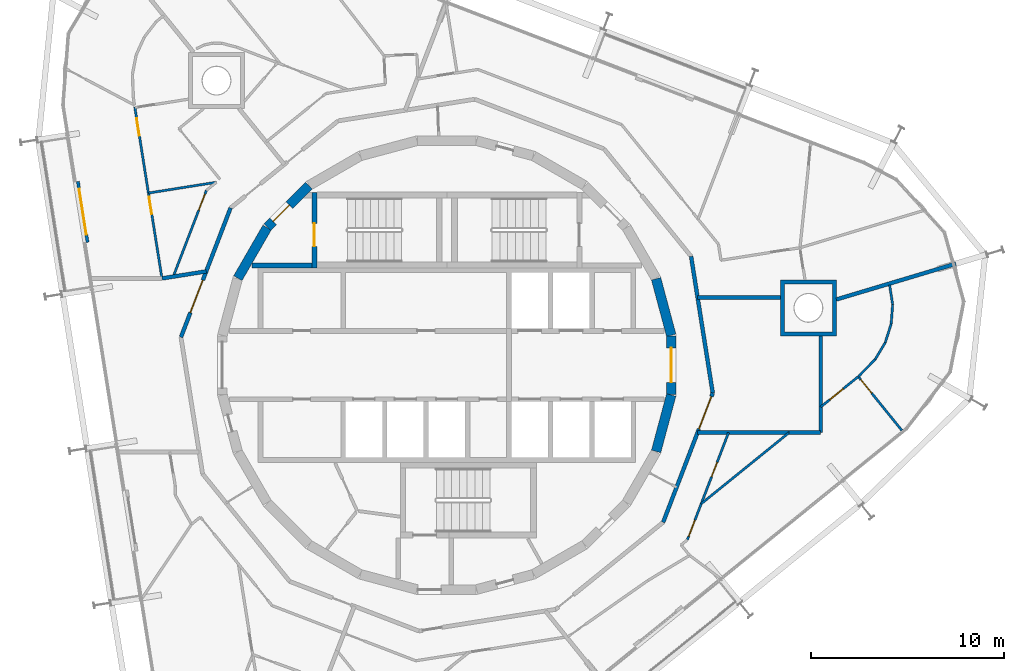
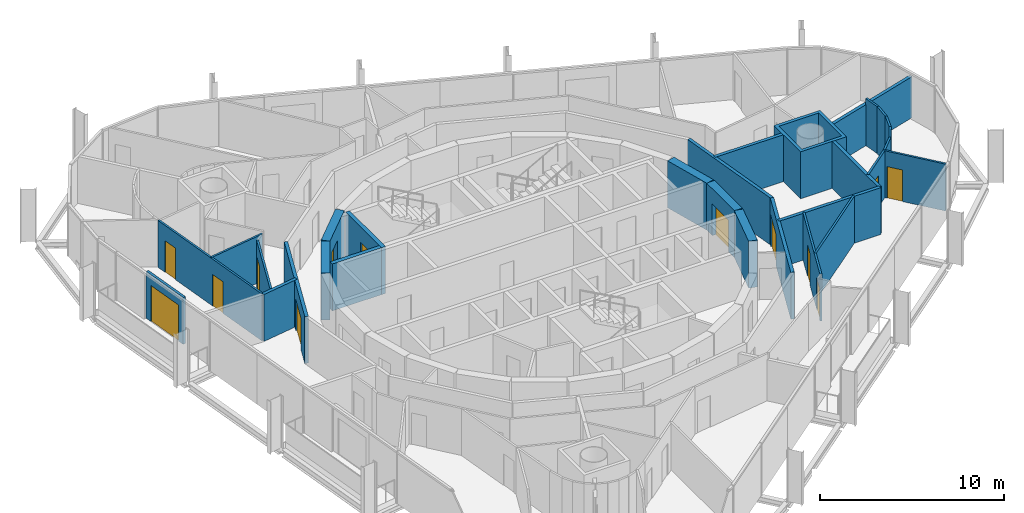
# One storey, part 14 of 18: 30 walls, 13 doors, 13 openings.
"""IFC4 building model written with IfcOpenShell, lengths in metres."""

from ifc_helpers import new_model, si_unit, direction, frame, frame_2d, origin, place, context, subcontext, project, spatial, polyline, rectangle, outline, extrude, material, layer, layer_set, type_object, element, fill, save


model = new_model("IFC4")

# Units and contexts
model_context = context("Model", 3, precision=1e-05, world=origin(), true_north=direction((0.0, 1.0)))
body_context = subcontext(model_context, "Body", "Model", "MODEL_VIEW")
ifc_project = project(units=[si_unit("LENGTHUNIT", "METRE"), si_unit("AREAUNIT", "SQUARE_METRE"), si_unit("VOLUMEUNIT", "CUBIC_METRE"), si_unit("PLANEANGLEUNIT", "RADIAN"), si_unit("MASSUNIT", "GRAM", prefix="KILO")], contexts=[model_context])

# Site, building, storey
site_placement = place(None, origin())
site = spatial("IfcSite", under=ifc_project, at=site_placement, CompositionType="ELEMENT")
building_placement = place(site_placement, origin())
building = spatial("IfcBuilding", under=site, at=building_placement, Name="Spindle Arch Residences", CompositionType="ELEMENT")
storey_placement = place(building_placement, frame((0.0, 0.0, 280.89990234375)))
storey = spatial("IfcBuildingStorey", under=building, at=storey_placement, Name="L72", CompositionType="ELEMENT", Elevation=280.89990234375)

# Wall
ifc_material_1 = material(Name="Concrete C50/60", Category="concrete")
ifc_layer_1 = layer(ifc_material_1, 0.5)
ifc_layer_set_1 = layer_set([ifc_layer_1], Name="Core outline wall 500")
wall_type_1 = type_object("IfcWallType", Name="Core outline wall 500", PredefinedType="SHEAR", material=ifc_layer_set_1)
wall_1_placement = place(storey_placement, frame((10.858154296875, -4.479248046875, 0.0), z_axis=(0.0, 0.0, 1.0), x_axis=(0.258734743916, 0.965948410781, 0.0)))
element("IfcWall", 1, at=wall_1_placement, inside=storey, type_object=wall_type_1, Name="Core outline wall 5", PredefinedType="SHEAR", context=body_context, shape_type="SweptSolid", body=[
    extrude(rectangle(XDim=3.03271484375, YDim=0.5, at=frame_2d((1.516357421875, 0.0))), origin(), (0.0, 0.0, 1.0), 3.1201171875),
])

# Wall, opening, door
wall_2_placement = place(storey_placement, frame((11.647216796875, -1.516357421875, 0.0), z_axis=(0.0, 0.0, 1.0), x_axis=(0.0, 1.0, 0.0)))
wall_2 = element("IfcWall", 2, at=wall_2_placement, inside=storey, type_object=wall_type_1, Name="Core outline wall 6", PredefinedType="SHEAR", context=body_context, shape_type="SweptSolid", body=[
    extrude(rectangle(XDim=3.03271484375, YDim=0.5, at=frame_2d((1.516357421875, 0.0))), origin(), (0.0, 0.0, 1.0), 3.1201171875),
])
opening_1_placement = place(wall_2_placement, frame((0.6162109375, 0.0, 0.0)))
opening_1 = element("IfcOpeningElement", 3, at=opening_1_placement, cuts=wall_2, Name="Opening R7B1-FE01", PredefinedType="OPENING", context=body_context, shape_type="SweptSolid", body=[
    extrude(rectangle(XDim=1.800048828125, YDim=2.10009765625, at=frame_2d((0.89990234375, 1.050048828125))), frame((0.0, 0.260009765625, 0.0), z_axis=(0.0, -1.0, 0.0), x_axis=(1.0, 0.0, 0.0)), (0.0, 0.0, 1.0), 0.52001953125),
])
ifc_material_2 = material(Name="Steel, fire-resisting door", Category="steel")
door_type_1 = type_object("IfcDoorType", Name="Fire-lift lobby door 1800x2100", OperationType="DOUBLE_DOOR_SINGLE_SWING", PredefinedType="DOOR", material=ifc_material_2)
door_1_placement = place(opening_1_placement, origin())
door_1 = element("IfcDoor", 4, at=door_1_placement, inside=storey, type_object=door_type_1, Name="Fire-lift lobby door R7B1-FE01", OperationType="DOUBLE_DOOR_SINGLE_SWING", OverallHeight=2.10009765625, OverallWidth=1.800048828125, PredefinedType="DOOR", context=body_context, shape_type="SweptSolid", body=[
    extrude(rectangle(XDim=1.800048828125, YDim=2.10009765625, at=frame_2d((0.89990234375, 1.050048828125))), frame((0.0, 0.02490234375, 0.0), z_axis=(0.0, -1.0, 0.0), x_axis=(1.0, 0.0, 0.0)), (0.0, 0.0, 1.0), 0.050048828125),
])
fill(opening_1, door_1)

# Wall
wall_3_placement = place(storey_placement, frame((11.642822265625, 1.5498046875, 0.0), z_axis=(0.0, 0.0, 1.0), x_axis=(-0.258734743916, 0.965948410781, 0.0)))
element("IfcWall", 5, at=wall_3_placement, inside=storey, type_object=wall_type_1, Name="Core outline wall 7", PredefinedType="SHEAR", context=body_context, shape_type="SweptSolid", body=[
    extrude(rectangle(XDim=3.03271484375, YDim=0.5, at=frame_2d((1.516357421875, 0.0))), origin(), (0.0, 0.0, 1.0), 3.1201171875),
])

# Wall, opening, door
wall_4_placement = place(storey_placement, frame((-7.163818359375, 9.30810546875, 0.0), z_axis=(0.0, 0.0, 1.0), x_axis=(-0.707106781187, -0.707106781187, 0.0)))
wall_4 = element("IfcWall", 6, at=wall_4_placement, inside=storey, type_object=wall_type_1, Name="Core outline wall 15", PredefinedType="SHEAR", context=body_context, shape_type="SweptSolid", body=[
    extrude(rectangle(XDim=3.032470703125, YDim=0.5, at=frame_2d((1.51611328125, 0.0))), origin(), (0.0, 0.0, 1.0), 3.1201171875),
])
opening_2_placement = place(wall_4_placement, frame((1.416259765625, 0.0, 0.0)))
opening_2 = element("IfcOpeningElement", 7, at=opening_2_placement, cuts=wall_4, Name="Opening R7B1-AD02", PredefinedType="OPENING", context=body_context, shape_type="SweptSolid", body=[
    extrude(rectangle(XDim=1.199951171875, YDim=2.10009765625, at=frame_2d((0.60009765625, 1.050048828125))), frame((0.0, 0.260009765625, 0.0), z_axis=(0.0, -1.0, 0.0), x_axis=(1.0, 0.0, 0.0)), (0.0, 0.0, 1.0), 0.52001953125),
])
ifc_material_3 = material(Name="Steel, fire-resisting door", Category="steel")
door_type_2 = type_object("IfcDoorType", Name="Stair airlock door 1200x2100", OperationType="SINGLE_SWING_LEFT", PredefinedType="DOOR", material=ifc_material_3)
door_2_placement = place(opening_2_placement, origin())
door_2 = element("IfcDoor", 8, at=door_2_placement, inside=storey, type_object=door_type_2, Name="Stair airlock door R7B1-AD02", OperationType="SINGLE_SWING_RIGHT", OverallHeight=2.10009765625, OverallWidth=1.199951171875, PredefinedType="DOOR", context=body_context, shape_type="SweptSolid", body=[
    extrude(rectangle(XDim=1.199951171875, YDim=2.10009765625, at=frame_2d((0.60009765625, 1.050048828125))), frame((0.0, 0.02490234375, 0.0), z_axis=(0.0, -1.0, 0.0), x_axis=(1.0, 0.0, 0.0)), (0.0, 0.0, 1.0), 0.050048828125),
])
fill(opening_2, door_2)

# Wall
wall_5_placement = place(storey_placement, frame((-9.32861328125, 7.13671875, 0.0), z_axis=(0.0, 0.0, 1.0), x_axis=(-0.500087131594, -0.865975092491, 0.0)))
element("IfcWall", 9, at=wall_5_placement, inside=storey, type_object=wall_type_1, Name="Core outline wall 16", PredefinedType="SHEAR", context=body_context, shape_type="SweptSolid", body=[
    extrude(rectangle(XDim=3.03271484375, YDim=0.5, at=frame_2d((1.516357421875, 0.0))), origin(), (0.0, 0.0, 1.0), 3.1201171875),
])

# Wall, opening, door
ifc_material_4 = material(Name="Calcium silicate block, plastered")
ifc_layer_2 = layer(ifc_material_4, 0.199951171875)
ifc_layer_set_2 = layer_set([ifc_layer_2], Name="Fire-lift lobby bay wall 200")
wall_type_2 = type_object("IfcWallType", Name="Fire-lift lobby bay wall 200", PredefinedType="STANDARD", material=ifc_layer_set_2)
wall_6_placement = place(storey_placement, frame((11.223388671875, -8.154296875, 0.0), z_axis=(0.0, 0.0, 1.0), x_axis=(0.358341090983, 0.93359073609, 0.0)))
wall_6 = element("IfcWall", 10, at=wall_6_placement, inside=storey, type_object=wall_type_2, Name="Fire-lift lobby bay wall R7B1-W004", PredefinedType="STANDARD", context=body_context, shape_type="SweptSolid", body=[
    extrude(rectangle(XDim=7.180908203125, YDim=0.199951171875, at=frame_2d((3.59033203125, 0.0))), origin(), (0.0, 0.0, 1.0), 3.1201171875),
])
opening_3_placement = place(wall_6_placement, frame((5.185302734375, 0.0, 0.0)))
opening_3 = element("IfcOpeningElement", 11, at=opening_3_placement, cuts=wall_6, Name="Opening R7B1-FB01", PredefinedType="OPENING", context=body_context, shape_type="SweptSolid", body=[
    extrude(rectangle(XDim=1.800048828125, YDim=2.10009765625, at=frame_2d((0.89990234375, 1.050048828125))), frame((0.0, 0.10986328125, 0.0), z_axis=(0.0, -1.0, 0.0), x_axis=(1.0, 0.0, 0.0)), (0.0, 0.0, 1.0), 0.219970703125),
])
ifc_material_5 = material(Name="Steel, fire-resisting door", Category="steel")
door_type_3 = type_object("IfcDoorType", Name="Fire-lift lobby bay door 1800x2100", OperationType="NOTDEFINED", PredefinedType="DOOR", material=ifc_material_5)
door_3_placement = place(opening_3_placement, origin())
door_3 = element("IfcDoor", 12, at=door_3_placement, inside=storey, type_object=door_type_3, Name="Fire-lift lobby bay door R7B1-FB01", OperationType="DOUBLE_DOOR_SINGLE_SWING", OverallHeight=2.10009765625, OverallWidth=1.800048828125, PredefinedType="DOOR", context=body_context, shape_type="SweptSolid", body=[
    extrude(rectangle(XDim=1.800048828125, YDim=2.10009765625, at=frame_2d((0.89990234375, 1.050048828125))), frame((0.0, 0.02490234375, 0.0), z_axis=(0.0, -1.0, 0.0), x_axis=(1.0, 0.0, 0.0)), (0.0, 0.0, 1.0), 0.050048828125),
])
fill(opening_3, door_3)

# Walls
wall_7_placement = place(storey_placement, frame((13.796630859375, -1.4501953125, 0.0), z_axis=(0.0, 0.0, 1.0), x_axis=(-0.156421704315, 0.987690361611, 0.0)))
element("IfcWall", 13, at=wall_7_placement, inside=storey, type_object=wall_type_2, Name="Fire-lift lobby bay wall R7B1-W005", PredefinedType="STANDARD", context=body_context, shape_type="SweptSolid", body=[
    extrude(rectangle(XDim=7.18115234375, YDim=0.199951171875, at=frame_2d((3.590576171875, 0.0))), origin(), (0.0, 0.0, 1.0), 3.1201171875),
])
wall_8_placement = place(storey_placement, frame((17.309326171875, 3.5, 0.0), z_axis=(0.0, 0.0, 1.0), x_axis=(-1.0, 0.0, 0.0)))
element("IfcWall", 14, at=wall_8_placement, inside=storey, type_object=wall_type_2, Name="Fire-lift lobby bay wall R7B1-W019", PredefinedType="STANDARD", context=body_context, shape_type="SweptSolid", body=[
    extrude(rectangle(XDim=4.296630859375, YDim=0.199951171875, at=frame_2d((2.1484375, 0.0))), origin(), (0.0, 0.0, 1.0), 3.1201171875),
])
wall_9_placement = place(storey_placement, frame((13.009765625, -3.5, 0.0), z_axis=(0.0, 0.0, 1.0), x_axis=(1.0, 0.0, 0.0)))
element("IfcWall", 15, at=wall_9_placement, inside=storey, type_object=wall_type_2, Name="Fire-lift lobby bay wall R7B1-W020", PredefinedType="STANDARD", context=body_context, shape_type="SweptSolid", body=[
    extrude(rectangle(XDim=4.75, YDim=0.199951171875, at=frame_2d((2.375, 0.0))), origin(), (0.0, 0.0, 1.0), 3.1201171875),
])
wall_10_placement = place(storey_placement, frame((19.39990234375, -3.5, 0.0), z_axis=(0.0, 0.0, 1.0), x_axis=(0.0, 1.0, 0.0)))
element("IfcWall", 16, at=wall_10_placement, inside=storey, type_object=wall_type_2, Name="Fire-lift lobby bay wall R7B1-W021", PredefinedType="STANDARD", context=body_context, shape_type="SweptSolid", body=[
    extrude(rectangle(XDim=5.021240234375, YDim=0.199951171875, at=frame_2d((2.5107421875, 0.0))), origin(), (0.0, 0.0, 1.0), 3.1201171875),
])
wall_11_placement = place(storey_placement, frame((17.759765625, -3.5, 0.0), z_axis=(0.0, 0.0, 1.0), x_axis=(1.0, 0.0, 0.0)))
element("IfcWall", 17, at=wall_11_placement, inside=storey, type_object=wall_type_2, Name="Fire-lift lobby bay wall R7B1-W022", PredefinedType="STANDARD", context=body_context, shape_type="SweptSolid", body=[
    extrude(rectangle(XDim=1.64013671875, YDim=0.199951171875, at=frame_2d((0.820068359375, 0.0))), origin(), (0.0, 0.0, 1.0), 3.1201171875),
])

# Wall, opening, door
ifc_material_6 = material(Name="Plasterboard on steel studs", Category="steel")
ifc_layer_3 = layer(ifc_material_6, 0.1201171875)
ifc_layer_set_3 = layer_set([ifc_layer_3], Name="Flat partition 120")
wall_type_3 = type_object("IfcWallType", Name="Flat partition 120", PredefinedType="PARTITIONING", material=ifc_layer_set_3)
wall_12_placement = place(storey_placement, frame((-12.4794921875, 9.06689453125, 0.0), z_axis=(0.0, 0.0, 1.0), x_axis=(-0.358402229057, -0.933567267104, 0.0)))
wall_12 = element("IfcWall", 18, at=wall_12_placement, inside=storey, type_object=wall_type_3, Name="Flat partition R7B1-W057", PredefinedType="PARTITIONING", context=body_context, shape_type="SweptSolid", body=[
    extrude(rectangle(XDim=4.79345703125, YDim=0.1201171875, at=frame_2d((2.396728515625, 0.0))), origin(), (0.0, 0.0, 1.0), 3.1201171875),
])
opening_4_placement = place(wall_12_placement, frame((0.199951171875, 0.0, 0.0)))
opening_4 = element("IfcOpeningElement", 19, at=opening_4_placement, cuts=wall_12, Name="Opening R7B1-ID11", PredefinedType="OPENING", context=body_context, shape_type="SweptSolid", body=[
    extrude(rectangle(XDim=0.89990234375, YDim=2.10009765625, at=frame_2d((0.449951171875, 1.050048828125))), frame((0.0, 0.070068359375, 0.0), z_axis=(0.0, -1.0, 0.0), x_axis=(1.0, 0.0, 0.0)), (0.0, 0.0, 1.0), 0.14013671875),
])
ifc_material_7 = material(Name="Timber door set", Category="wood")
door_type_4 = type_object("IfcDoorType", Name="Room door 900x2100", OperationType="NOTDEFINED", PredefinedType="DOOR", material=ifc_material_7)
door_4_placement = place(opening_4_placement, origin())
door_4 = element("IfcDoor", 20, at=door_4_placement, inside=storey, type_object=door_type_4, Name="Room door R7B1-ID11", OperationType="SINGLE_SWING_LEFT", OverallHeight=2.10009765625, OverallWidth=0.89990234375, PredefinedType="DOOR", context=body_context, shape_type="SweptSolid", body=[
    extrude(rectangle(XDim=0.89990234375, YDim=2.10009765625, at=frame_2d((0.449951171875, 1.050048828125))), frame((0.0, 0.02490234375, 0.0), z_axis=(0.0, -1.0, 0.0), x_axis=(1.0, 0.0, 0.0)), (0.0, 0.0, 1.0), 0.050048828125),
])
fill(opening_4, door_4)

# Wall, openings, doors
wall_13_placement = place(storey_placement, frame((-16.19189453125, 13.39892578125, 0.0), z_axis=(0.0, 0.0, 1.0), x_axis=(0.156405047803, -0.987692999379, 0.0)))
wall_13 = element("IfcWall", 21, at=wall_13_placement, inside=storey, type_object=wall_type_3, Name="Flat partition R7B1-W066", PredefinedType="PARTITIONING", context=body_context, shape_type="SweptSolid", body=[
    extrude(rectangle(XDim=9.009765625, YDim=0.1201171875, at=frame_2d((4.5048828125, 0.0))), origin(), (0.0, 0.0, 1.0), 3.1201171875),
])
opening_5_placement = place(wall_13_placement, frame((0.60009765625, 0.0, 0.0)))
opening_5 = element("IfcOpeningElement", 22, at=opening_5_placement, cuts=wall_13, Name="Opening R7B1-ID12", PredefinedType="OPENING", context=body_context, shape_type="SweptSolid", body=[
    extrude(rectangle(XDim=0.89990234375, YDim=2.10009765625, at=frame_2d((0.449951171875, 1.050048828125))), frame((0.0, 0.070068359375, 0.0), z_axis=(0.0, -1.0, 0.0), x_axis=(1.0, 0.0, 0.0)), (0.0, 0.0, 1.0), 0.14013671875),
])
opening_6_placement = place(wall_13_placement, frame((4.725341796875, 0.0, 0.0)))
opening_6 = element("IfcOpeningElement", 23, at=opening_6_placement, cuts=wall_13, Name="Opening R7B1-ID14", PredefinedType="OPENING", context=body_context, shape_type="SweptSolid", body=[
    extrude(rectangle(XDim=0.89990234375, YDim=2.10009765625, at=frame_2d((0.449951171875, 1.050048828125))), frame((0.0, 0.070068359375, 0.0), z_axis=(0.0, -1.0, 0.0), x_axis=(1.0, 0.0, 0.0)), (0.0, 0.0, 1.0), 0.14013671875),
])
door_5_placement = place(opening_5_placement, origin())
door_5 = element("IfcDoor", 24, at=door_5_placement, inside=storey, type_object=door_type_4, Name="Room door R7B1-ID12", OperationType="SINGLE_SWING_LEFT", OverallHeight=2.10009765625, OverallWidth=0.89990234375, PredefinedType="DOOR", context=body_context, shape_type="SweptSolid", body=[
    extrude(rectangle(XDim=0.89990234375, YDim=2.10009765625, at=frame_2d((0.449951171875, 1.050048828125))), frame((0.0, 0.02490234375, 0.0), z_axis=(0.0, -1.0, 0.0), x_axis=(1.0, 0.0, 0.0)), (0.0, 0.0, 1.0), 0.050048828125),
])
fill(opening_5, door_5)
door_6_placement = place(opening_6_placement, origin())
door_6 = element("IfcDoor", 25, at=door_6_placement, inside=storey, type_object=door_type_4, Name="Room door R7B1-ID14", OperationType="SINGLE_SWING_RIGHT", OverallHeight=2.10009765625, OverallWidth=0.89990234375, PredefinedType="DOOR", context=body_context, shape_type="SweptSolid", body=[
    extrude(rectangle(XDim=0.89990234375, YDim=2.10009765625, at=frame_2d((0.449951171875, 1.050048828125))), frame((0.0, 0.02490234375, 0.0), z_axis=(0.0, -1.0, 0.0), x_axis=(1.0, 0.0, 0.0)), (0.0, 0.0, 1.0), 0.050048828125),
])
fill(opening_6, door_6)

# Wall
wall_14_placement = place(storey_placement, frame((-15.484130859375, 8.92919921875, 0.0), z_axis=(0.0, 0.0, 1.0), x_axis=(0.987689619983, 0.156426387092, 0.0)))
element("IfcWall", 26, at=wall_14_placement, inside=storey, type_object=wall_type_3, Name="Flat partition R7B1-W067", PredefinedType="PARTITIONING", context=body_context, shape_type="SweptSolid", body=[
    extrude(rectangle(XDim=3.56787109375, YDim=0.1201171875, at=frame_2d((1.783935546875, 0.0))), origin(), (0.0, 0.0, 1.0), 3.1201171875),
])

# Wall, openings, doors
wall_15_placement = place(storey_placement, frame((12.4794921875, -9.06689453125, 0.0), z_axis=(0.0, 0.0, 1.0), x_axis=(0.358372669661, 0.933578614601, 0.0)))
wall_15 = element("IfcWall", 27, at=wall_15_placement, inside=storey, type_object=wall_type_3, Name="Flat partition R7B1-W096", PredefinedType="PARTITIONING", context=body_context, shape_type="SweptSolid", body=[
    extrude(rectangle(XDim=5.962890625, YDim=0.1201171875, at=frame_2d((2.9814453125, 0.0))), origin(), (0.0, 0.0, 1.0), 3.1201171875),
])
opening_7_placement = place(wall_15_placement, frame((0.199951171875, 0.0, 0.0)))
opening_7 = element("IfcOpeningElement", 28, at=opening_7_placement, cuts=wall_15, Name="Opening R7B1-ID26", PredefinedType="OPENING", context=body_context, shape_type="SweptSolid", body=[
    extrude(rectangle(XDim=0.89990234375, YDim=2.10009765625, at=frame_2d((0.449951171875, 1.050048828125))), frame((0.0, 0.070068359375, 0.0), z_axis=(0.0, -1.0, 0.0), x_axis=(1.0, 0.0, 0.0)), (0.0, 0.0, 1.0), 0.14013671875),
])
opening_8_placement = place(wall_15_placement, frame((3.506591796875, 0.0, 0.0)))
opening_8 = element("IfcOpeningElement", 29, at=opening_8_placement, cuts=wall_15, Name="Opening R7B1-BD06", PredefinedType="OPENING", context=body_context, shape_type="SweptSolid", body=[
    extrude(rectangle(XDim=0.800048828125, YDim=2.10009765625, at=frame_2d((0.39990234375, 1.050048828125))), frame((0.0, 0.070068359375, 0.0), z_axis=(0.0, -1.0, 0.0), x_axis=(1.0, 0.0, 0.0)), (0.0, 0.0, 1.0), 0.14013671875),
])
ifc_material_8 = material(Name="Timber door set", Category="wood")
door_type_5 = type_object("IfcDoorType", Name="Bathroom door 800x2100", OperationType="NOTDEFINED", PredefinedType="DOOR", material=ifc_material_8)
door_7_placement = place(opening_8_placement, origin())
door_7 = element("IfcDoor", 30, at=door_7_placement, inside=storey, type_object=door_type_5, Name="Bathroom door R7B1-BD06", OperationType="SINGLE_SWING_RIGHT", OverallHeight=2.10009765625, OverallWidth=0.800048828125, PredefinedType="DOOR", context=body_context, shape_type="SweptSolid", body=[
    extrude(rectangle(XDim=0.800048828125, YDim=2.10009765625, at=frame_2d((0.39990234375, 1.050048828125))), frame((0.0, 0.02490234375, 0.0), z_axis=(0.0, -1.0, 0.0), x_axis=(1.0, 0.0, 0.0)), (0.0, 0.0, 1.0), 0.050048828125),
])
fill(opening_8, door_7)
door_8_placement = place(opening_7_placement, origin())
door_8 = element("IfcDoor", 31, at=door_8_placement, inside=storey, type_object=door_type_4, Name="Room door R7B1-ID26", OperationType="SINGLE_SWING_RIGHT", OverallHeight=2.10009765625, OverallWidth=0.89990234375, PredefinedType="DOOR", context=body_context, shape_type="SweptSolid", body=[
    extrude(rectangle(XDim=0.89990234375, YDim=2.10009765625, at=frame_2d((0.449951171875, 1.050048828125))), frame((0.0, 0.02490234375, 0.0), z_axis=(0.0, -1.0, 0.0), x_axis=(1.0, 0.0, 0.0)), (0.0, 0.0, 1.0), 0.050048828125),
])
fill(opening_7, door_8)

# Walls
wall_16_placement = place(storey_placement, frame((22.972412109375, 4.15283203125, 0.0), z_axis=(0.0, 0.0, 1.0), x_axis=(0.156209385929, -0.987723963336, 0.0)))
element("IfcWall", 32, at=wall_16_placement, inside=storey, type_object=wall_type_3, Name="Flat partition R7B1-W097", PredefinedType="PARTITIONING", context=body_context, shape_type="SweptSolid", body=[
    extrude(rectangle(XDim=1.015869140625, YDim=0.1201171875, at=frame_2d((0.5078125, 0.0))), origin(), (0.0, 0.0, 1.0), 3.1201171875),
])
wall_17_placement = place(storey_placement, frame((23.131103515625, 3.1494140625, 0.0), z_axis=(0.0, 0.0, 1.0), x_axis=(-0.075446997935, -0.99714981347, 0.0)))
element("IfcWall", 33, at=wall_17_placement, inside=storey, type_object=wall_type_3, Name="Flat partition R7B1-W098", PredefinedType="PARTITIONING", context=body_context, shape_type="SweptSolid", body=[
    extrude(rectangle(XDim=1.01611328125, YDim=0.1201171875, at=frame_2d((0.508056640625, 0.0))), origin(), (0.0, 0.0, 1.0), 3.1201171875),
])
wall_18_placement = place(storey_placement, frame((23.054443359375, 2.13623046875, 0.0), z_axis=(0.0, 0.0, 1.0), x_axis=(-0.303511129679, -0.952827893253, 0.0)))
element("IfcWall", 34, at=wall_18_placement, inside=storey, type_object=wall_type_3, Name="Flat partition R7B1-W099", PredefinedType="PARTITIONING", context=body_context, shape_type="SweptSolid", body=[
    extrude(rectangle(XDim=1.015869140625, YDim=0.1201171875, at=frame_2d((0.5078125, 0.0))), origin(), (0.0, 0.0, 1.0), 3.1201171875),
])
wall_19_placement = place(storey_placement, frame((22.74609375, 1.168212890625, 0.0), z_axis=(0.0, 0.0, 1.0), x_axis=(-0.515096534995, -0.857132171626, 0.0)))
element("IfcWall", 35, at=wall_19_placement, inside=storey, type_object=wall_type_3, Name="Flat partition R7B1-W100", PredefinedType="PARTITIONING", context=body_context, shape_type="SweptSolid", body=[
    extrude(rectangle(XDim=1.015625, YDim=0.1201171875, at=frame_2d((0.5078125, 0.0))), origin(), (0.0, 0.0, 1.0), 3.1201171875),
])
wall_20_placement = place(storey_placement, frame((22.222900390625, 0.297607421875, 0.0), z_axis=(0.0, 0.0, 1.0), x_axis=(-0.69880109182, -0.715316037896, 0.0)))
element("IfcWall", 36, at=wall_20_placement, inside=storey, type_object=wall_type_3, Name="Flat partition R7B1-W101", PredefinedType="PARTITIONING", context=body_context, shape_type="SweptSolid", body=[
    extrude(rectangle(XDim=1.22705078125, YDim=0.1201171875, at=frame_2d((0.613525390625, 0.0))), origin(), (0.0, 0.0, 1.0), 3.1201171875),
])

# Wall, opening, door
wall_21_placement = place(storey_placement, frame((21.346923828125, -0.59521484375, 0.0), z_axis=(0.0, 0.0, 1.0), x_axis=(0.62934843781, -0.7771232488, 0.0)))
wall_21 = element("IfcWall", 37, at=wall_21_placement, inside=storey, type_object=wall_type_3, Name="Flat partition R7B1-W102", PredefinedType="PARTITIONING", context=body_context, shape_type="SweptSolid", body=[
    extrude(rectangle(XDim=3.599853515625, YDim=0.1201171875, at=frame_2d((1.7998046875, 0.0))), origin(), (0.0, 0.0, 1.0), 3.1201171875),
])
opening_9_placement = place(wall_21_placement, frame((0.199951171875, 0.0, 0.0)))
opening_9 = element("IfcOpeningElement", 38, at=opening_9_placement, cuts=wall_21, Name="Opening R7B1-ID27", PredefinedType="OPENING", context=body_context, shape_type="SweptSolid", body=[
    extrude(rectangle(XDim=0.89990234375, YDim=2.10009765625, at=frame_2d((0.449951171875, 1.050048828125))), frame((0.0, 0.070068359375, 0.0), z_axis=(0.0, -1.0, 0.0), x_axis=(1.0, 0.0, 0.0)), (0.0, 0.0, 1.0), 0.14013671875),
])
door_9_placement = place(opening_9_placement, origin())
door_9 = element("IfcDoor", 39, at=door_9_placement, inside=storey, type_object=door_type_4, Name="Room door R7B1-ID27", OperationType="SINGLE_SWING_RIGHT", OverallHeight=2.10009765625, OverallWidth=0.89990234375, PredefinedType="DOOR", context=body_context, shape_type="SweptSolid", body=[
    extrude(rectangle(XDim=0.89990234375, YDim=2.10009765625, at=frame_2d((0.449951171875, 1.050048828125))), frame((0.0, 0.02490234375, 0.0), z_axis=(0.0, -1.0, 0.0), x_axis=(1.0, 0.0, 0.0)), (0.0, 0.0, 1.0), 0.050048828125),
])
fill(opening_9, door_9)

wall_22_placement = place(storey_placement, frame((19.39990234375, -2.171875, 0.0), z_axis=(0.0, 0.0, 1.0), x_axis=(0.777147279935, 0.629318762862, 0.0)))
wall_22 = element("IfcWall", 40, at=wall_22_placement, inside=storey, type_object=wall_type_3, Name="Flat partition R7B1-W103", PredefinedType="PARTITIONING", context=body_context, shape_type="SweptSolid", body=[
    extrude(rectangle(XDim=2.50537109375, YDim=0.1201171875, at=frame_2d((1.252685546875, 0.0))), origin(), (0.0, 0.0, 1.0), 3.1201171875),
])
opening_10_placement = place(wall_22_placement, frame((0.60009765625, 0.0, 0.0)))
opening_10 = element("IfcOpeningElement", 41, at=opening_10_placement, cuts=wall_22, Name="Opening R7B1-ID28", PredefinedType="OPENING", context=body_context, shape_type="SweptSolid", body=[
    extrude(rectangle(XDim=0.89990234375, YDim=2.10009765625, at=frame_2d((0.449951171875, 1.050048828125))), frame((0.0, 0.070068359375, 0.0), z_axis=(0.0, -1.0, 0.0), x_axis=(1.0, 0.0, 0.0)), (0.0, 0.0, 1.0), 0.14013671875),
])
door_10_placement = place(opening_10_placement, origin())
door_10 = element("IfcDoor", 42, at=door_10_placement, inside=storey, type_object=door_type_4, Name="Room door R7B1-ID28", OperationType="SINGLE_SWING_LEFT", OverallHeight=2.10009765625, OverallWidth=0.89990234375, PredefinedType="DOOR", context=body_context, shape_type="SweptSolid", body=[
    extrude(rectangle(XDim=0.89990234375, YDim=2.10009765625, at=frame_2d((0.449951171875, 1.050048828125))), frame((0.0, 0.02490234375, 0.0), z_axis=(0.0, -1.0, 0.0), x_axis=(1.0, 0.0, 0.0)), (0.0, 0.0, 1.0), 0.050048828125),
])
fill(opening_10, door_10)

# Walls
wall_23_placement = place(storey_placement, frame((17.759765625, -3.5, 0.0), z_axis=(0.0, 0.0, 1.0), x_axis=(-0.777133455716, -0.62933583404, 0.0)))
element("IfcWall", 43, at=wall_23_placement, inside=storey, type_object=wall_type_3, Name="Flat partition R7B1-W105", PredefinedType="PARTITIONING", context=body_context, shape_type="SweptSolid", body=[
    extrude(rectangle(XDim=5.869140625, YDim=0.1201171875, at=frame_2d((2.9345703125, 0.0))), origin(), (0.0, 0.0, 1.0), 3.1201171875),
])
ifc_material_9 = material(Name="Calcium silicate block, plastered")
ifc_layer_4 = layer(ifc_material_9, 0.199951171875)
ifc_layer_set_4 = layer_set([ifc_layer_4], Name="Flat party wall 200 under beam 2730")
wall_type_4 = type_object("IfcWallType", Name="Flat party wall 200 under beam 2730", PredefinedType="STANDARD", material=ifc_layer_set_4)
wall_24_placement = place(storey_placement, frame((20.20947265625, 3.4052734375, 0.0), z_axis=(0.0, 0.0, 1.0), x_axis=(0.957991224208, 0.286797514529, 0.0)))
element("IfcWall", 44, at=wall_24_placement, inside=storey, type_object=wall_type_4, Name="Flat party wall R7B1-W024", PredefinedType="STANDARD", context=body_context, shape_type="SweptSolid", body=[
    extrude(rectangle(XDim=6.471435546875, YDim=0.199951171875, at=frame_2d((3.23583984375, 0.0))), origin(), (0.0, 0.0, 1.0), 2.72998046875),
])

# Wall, opening, door
ifc_material_10 = material(Name="Non-combustible mineral wool insulated aluminium faced external wall (K0)", Category="aluminium")
ifc_layer_5 = layer(ifc_material_10, 0.159912109375)
ifc_layer_set_5 = layer_set([ifc_layer_5], Name="Insulated external wall panel 160")
wall_type_5 = type_object("IfcWallType", Name="Insulated external wall panel 160", PredefinedType="STANDARD", material=ifc_layer_set_5)
wall_25_placement = place(storey_placement, frame((-19.1435546875, 9.53271484375, 0.0), z_axis=(0.0, 0.0, 1.0), x_axis=(0.156401347891, -0.987693585267, 0.0)))
wall_25 = element("IfcWall", 45, at=wall_25_placement, inside=storey, type_object=wall_type_5, Name="External wall L72 bay 12", PredefinedType="STANDARD", context=body_context, shape_type="SweptSolid", body=[
    extrude(rectangle(XDim=3.199951171875, YDim=0.159912109375, at=frame_2d((1.60009765625, 0.0))), origin(), (0.0, 0.0, 1.0), 3.1201171875),
])
opening_11_placement = place(wall_25_placement, frame((0.39990234375, 0.0, 0.0)))
opening_11 = element("IfcOpeningElement", 46, at=opening_11_placement, cuts=wall_25, Name="Opening BD12", PredefinedType="OPENING", context=body_context, shape_type="SweptSolid", body=[
    extrude(rectangle(XDim=2.39990234375, YDim=2.39990234375, at=frame_2d((1.199951171875, 1.199951171875))), frame((0.0, 0.08984375, 0.0), z_axis=(0.0, -1.0, 0.0), x_axis=(1.0, 0.0, 0.0)), (0.0, 0.0, 1.0), 0.179931640625),
])
ifc_material_11 = material(Name="Bronze aluminium frame, tinted double glazing", Category="aluminium")
door_type_6 = type_object("IfcDoorType", Name="Sliding glazed balcony door 2400x2400", OperationType="DOUBLE_DOOR_SLIDING", PredefinedType="DOOR", material=ifc_material_11)
door_11_placement = place(opening_11_placement, origin())
door_11 = element("IfcDoor", 47, at=door_11_placement, inside=storey, type_object=door_type_6, Name="Balcony door BD12", OperationType="DOUBLE_DOOR_SLIDING", OverallHeight=2.39990234375, OverallWidth=2.39990234375, PredefinedType="DOOR", context=body_context, shape_type="SweptSolid", body=[
    extrude(rectangle(XDim=2.39990234375, YDim=2.39990234375, at=frame_2d((1.199951171875, 1.199951171875))), frame((0.0, 0.02490234375, 0.0), z_axis=(0.0, -1.0, 0.0), x_axis=(1.0, 0.0, 0.0)), (0.0, 0.0, 1.0), 0.050048828125),
])
fill(opening_11, door_11)

ifc_material_12 = material(Name="Calcium silicate block, plastered")
ifc_layer_6 = layer(ifc_material_12, 0.199951171875)
ifc_layer_set_6 = layer_set([ifc_layer_6], Name="Lift lobby bay wall 200")
wall_type_6 = type_object("IfcWallType", Name="Lift lobby bay wall 200", PredefinedType="STANDARD", material=ifc_layer_set_6)
wall_26_placement = place(storey_placement, frame((-11.223388671875, 8.154296875, 0.0), z_axis=(0.0, 0.0, 1.0), x_axis=(-0.358341090983, -0.93359073609, 0.0)))
wall_26 = element("IfcWall", 48, at=wall_26_placement, inside=storey, type_object=wall_type_6, Name="Lift lobby bay wall R7B1-W009", PredefinedType="STANDARD", context=body_context, shape_type="SweptSolid", body=[
    extrude(rectangle(XDim=7.180908203125, YDim=0.199951171875, at=frame_2d((3.59033203125, 0.0))), origin(), (0.0, 0.0, 1.0), 3.1201171875),
])
opening_12_placement = place(wall_26_placement, frame((4.01416015625, 0.0, 0.0)))
opening_12 = element("IfcOpeningElement", 49, at=opening_12_placement, cuts=wall_26, Name="Opening R7B1-LB01", PredefinedType="OPENING", context=body_context, shape_type="SweptSolid", body=[
    extrude(rectangle(XDim=1.800048828125, YDim=2.10009765625, at=frame_2d((0.89990234375, 1.050048828125))), frame((0.0, 0.10986328125, 0.0), z_axis=(0.0, -1.0, 0.0), x_axis=(1.0, 0.0, 0.0)), (0.0, 0.0, 1.0), 0.219970703125),
])
ifc_material_13 = material(Name="Steel, fire-resisting door", Category="steel")
door_type_7 = type_object("IfcDoorType", Name="Lift lobby bay door 1800x2100", OperationType="NOTDEFINED", PredefinedType="DOOR", material=ifc_material_13)
door_12_placement = place(opening_12_placement, origin())
door_12 = element("IfcDoor", 50, at=door_12_placement, inside=storey, type_object=door_type_7, Name="Lift lobby bay door R7B1-LB01", OperationType="DOUBLE_DOOR_SINGLE_SWING", OverallHeight=2.10009765625, OverallWidth=1.800048828125, PredefinedType="DOOR", context=body_context, shape_type="SweptSolid", body=[
    extrude(rectangle(XDim=1.800048828125, YDim=2.10009765625, at=frame_2d((0.89990234375, 1.050048828125))), frame((0.0, 0.02490234375, 0.0), z_axis=(0.0, -1.0, 0.0), x_axis=(1.0, 0.0, 0.0)), (0.0, 0.0, 1.0), 0.050048828125),
])
fill(opening_12, door_12)

# Walls
wall_27_placement = place(storey_placement, frame((-12.48681640625, 4.86279296875, 0.0), z_axis=(0.0, 0.0, 1.0), x_axis=(-0.98769031179, -0.156422018898, 0.0)))
element("IfcWall", 51, at=wall_27_placement, inside=storey, type_object=wall_type_6, Name="Lift lobby bay wall R7B1-W016", PredefinedType="STANDARD", context=body_context, shape_type="SweptSolid", body=[
    extrude(rectangle(XDim=2.3193359375, YDim=0.199951171875, at=frame_2d((1.15966796875, 0.0))), origin(), (0.0, 0.0, 1.0), 3.1201171875),
])
ifc_material_14 = material(Name="Calcium silicate block, plastered")
ifc_layer_7 = layer(ifc_material_14, 0.199951171875)
ifc_layer_set_7 = layer_set([ifc_layer_7], Name="Mega-column casing wall 200")
wall_type_7 = type_object("IfcWallType", Name="Mega-column casing wall 200", PredefinedType="STANDARD", material=ifc_layer_set_7)
wall_28_placement = place(storey_placement, origin())
element("IfcWall", 52, at=wall_28_placement, inside=storey, type_object=wall_type_7, Name="Mega-column casing wall R7B1-WC01", PredefinedType="STANDARD", context=body_context, shape_type="SweptSolid", body=[
    extrude(outline(polyline([(20.20947265625, 4.421142578125), (20.20947265625, 1.521240234375), (17.309326171875, 1.521240234375), (17.309326171875, 4.421142578125), (20.20947265625, 4.421142578125)]), holes=[polyline([(17.509521484375, 1.72119140625), (20.009521484375, 1.72119140625), (20.009521484375, 4.22119140625), (17.509521484375, 4.22119140625), (17.509521484375, 1.72119140625)])]), origin(), (0.0, 0.0, 1.0), 3.1201171875),
])
ifc_material_15 = material(Name="Concrete C40/50", Category="concrete")
ifc_layer_8 = layer(ifc_material_15, 0.25)
ifc_layer_set_8 = layer_set([ifc_layer_8], Name="Stair airlock wall 250")
wall_type_8 = type_object("IfcWallType", Name="Stair airlock wall 250", PredefinedType="SHEAR", material=ifc_layer_set_8)
wall_29_placement = place(storey_placement, frame((-7.0, 5.175048828125, 0.0), z_axis=(0.0, 0.0, 1.0), x_axis=(-1.0, 0.0, 0.0)))
element("IfcWall", 53, at=wall_29_placement, inside=storey, type_object=wall_type_8, Name="Stair ST-2 airlock wall S", PredefinedType="SHEAR", context=body_context, shape_type="SweptSolid", body=[
    extrude(rectangle(XDim=3.10009765625, YDim=0.25, at=frame_2d((1.550048828125, 0.0))), origin(), (0.0, 0.0, 1.0), 3.1201171875),
])

# Wall, opening, door
ifc_material_16 = material(Name="Concrete C50/60", Category="concrete")
ifc_layer_9 = layer(ifc_material_16, 0.25)
ifc_layer_set_9 = layer_set([ifc_layer_9], Name="Stair enclosure wall 250")
wall_type_9 = type_object("IfcWallType", Name="Stair enclosure wall 250", PredefinedType="SHEAR", material=ifc_layer_set_9)
wall_30_placement = place(storey_placement, frame((-6.875, 8.969970703125, 0.0), z_axis=(0.0, 0.0, 1.0), x_axis=(0.0, -1.0, 0.0)))
wall_30 = element("IfcWall", 54, at=wall_30_placement, inside=storey, type_object=wall_type_9, Name="Stair ST-2 door wall", PredefinedType="SHEAR", context=body_context, shape_type="SweptSolid", body=[
    extrude(rectangle(XDim=3.919921875, YDim=0.25, at=frame_2d((1.9599609375, 0.0))), origin(), (0.0, 0.0, 1.0), 3.1201171875),
])
opening_13_placement = place(wall_30_placement, frame((1.610107421875, 0.0, 0.0)))
opening_13 = element("IfcOpeningElement", 55, at=opening_13_placement, cuts=wall_30, Name="Opening R7B1-SD02", PredefinedType="OPENING", context=body_context, shape_type="SweptSolid", body=[
    extrude(rectangle(XDim=1.199951171875, YDim=2.10009765625, at=frame_2d((0.60009765625, 1.050048828125))), frame((0.0, 0.135009765625, 0.0), z_axis=(0.0, -1.0, 0.0), x_axis=(1.0, 0.0, 0.0)), (0.0, 0.0, 1.0), 0.27001953125),
])
ifc_material_17 = material(Name="Steel, fire-resisting door", Category="steel")
door_type_8 = type_object("IfcDoorType", Name="Stair door 1200x2100", OperationType="SINGLE_SWING_RIGHT", PredefinedType="DOOR", material=ifc_material_17)
door_13_placement = place(opening_13_placement, origin())
door_13 = element("IfcDoor", 56, at=door_13_placement, inside=storey, type_object=door_type_8, Name="Stair door R7B1-SD02", OperationType="SINGLE_SWING_LEFT", OverallHeight=2.10009765625, OverallWidth=1.199951171875, PredefinedType="DOOR", context=body_context, shape_type="SweptSolid", body=[
    extrude(rectangle(XDim=1.199951171875, YDim=2.10009765625, at=frame_2d((0.60009765625, 1.050048828125))), frame((0.0, 0.02490234375, 0.0), z_axis=(0.0, -1.0, 0.0), x_axis=(1.0, 0.0, 0.0)), (0.0, 0.0, 1.0), 0.050048828125),
])
fill(opening_13, door_13)

save(model, "model.ifc")
